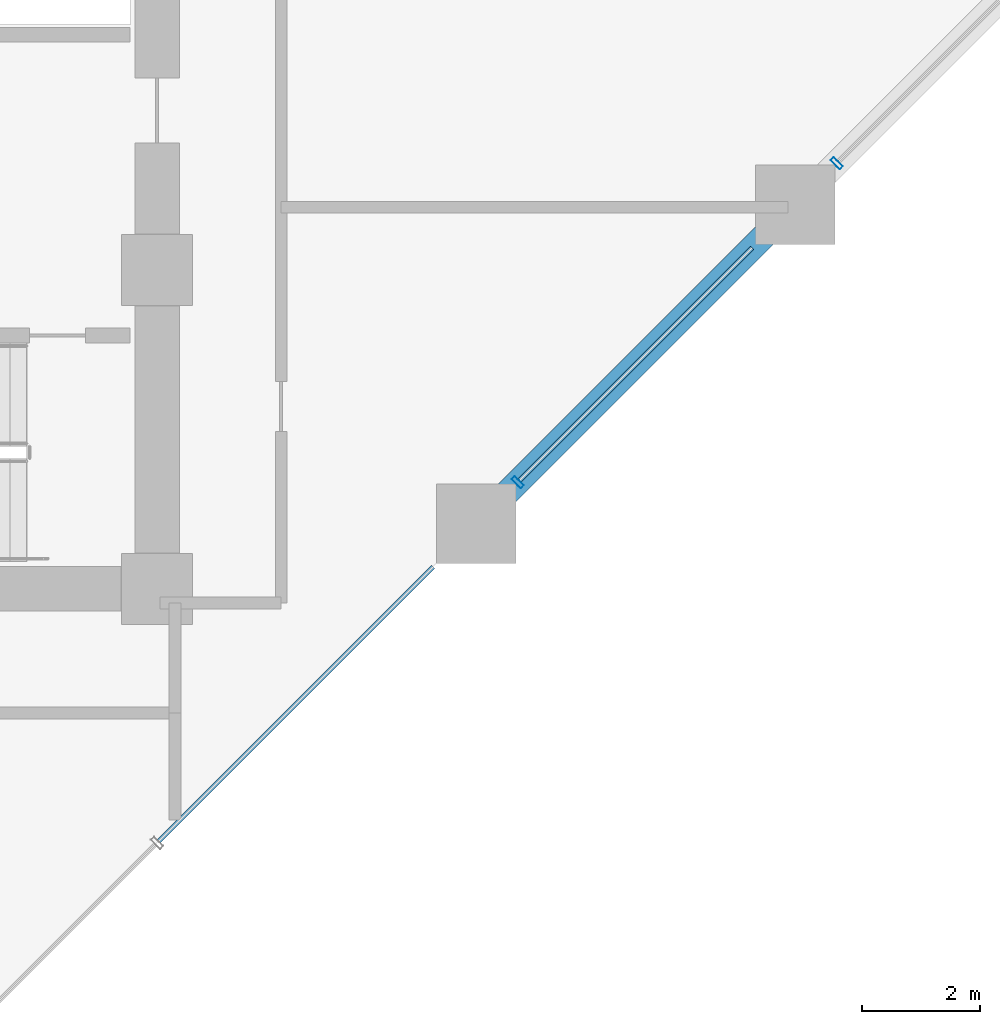
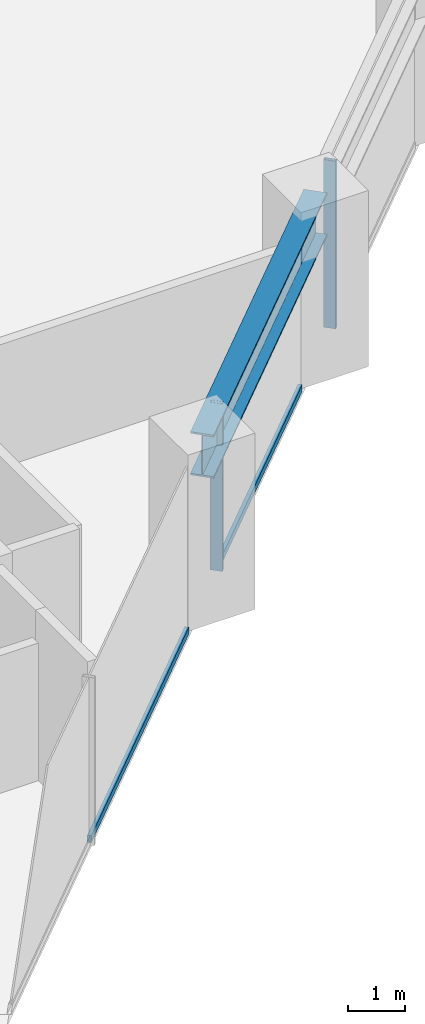
# One storey, part 8 of 24: 4 members, 1 beam, 1 element without a shape of its own.
"""IFC4 building model written with IfcOpenShell, lengths in metres."""

from ifc_helpers import new_model, si_unit, direction, frame, origin, origin_2d, place, context, subcontext, project, spatial, hollow_rectangle, i_section, extrude, material, layer, layer_set, material_profile, profile_set, type_object, element, aggregate, save


model = new_model("IFC4")

# Units and contexts
model_context = context("Model", 3, precision=1e-05, world=origin(), true_north=direction((0.0, 1.0)))
body_context = subcontext(model_context, "Body", "Model", "MODEL_VIEW")
ifc_project = project(units=[si_unit("LENGTHUNIT", "METRE"), si_unit("AREAUNIT", "SQUARE_METRE"), si_unit("VOLUMEUNIT", "CUBIC_METRE"), si_unit("PLANEANGLEUNIT", "RADIAN"), si_unit("MASSUNIT", "GRAM", prefix="KILO")], contexts=[model_context])

# Site, building, storey
site_placement = place(None, origin())
site = spatial("IfcSite", under=ifc_project, at=site_placement, CompositionType="ELEMENT")
building_placement = place(site_placement, origin())
building = spatial("IfcBuilding", under=site, at=building_placement, Name="Surkhivell Harbour Commons", CompositionType="ELEMENT")
storey_placement = place(building_placement, frame((0.0, 0.0, 26.25)))
storey = spatial("IfcBuildingStorey", under=building, at=storey_placement, Name="L06", CompositionType="ELEMENT", Elevation=26.25)

# Beam
ifc_material_1 = material(Name="Steel S460", Category="steel")
ifc_material_profile_1 = material_profile(ifc_material_1, i_section(OverallWidth=0.419921875, OverallDepth=0.9208984375, WebThickness=0.021484375, FlangeThickness=0.03662109375, at=origin_2d()), Name="UB914x419x388")
ifc_profile_set_1 = profile_set([ifc_material_profile_1], Name="Steel S460")
beam_type = type_object("IfcBeamType", Name="BM-SPN-914A", PredefinedType="SPANDREL", material=ifc_profile_set_1)
beam_placement = place(storey_placement, frame((16.199951171875, -9.699951171875, 3.109619140625), z_axis=(0.707122765516, 0.707090796496, 0.0), x_axis=(-0.707090796496, 0.707122765516, 0.0)))
element("IfcBeam", 1, at=beam_placement, inside=storey, type_object=beam_type, Name="L06 Tube Spandrel (16.2,-9.7)", PredefinedType="SPANDREL", context=body_context, shape_type="SweptSolid", body=[
    extrude(i_section(OverallWidth=0.419921875, OverallDepth=0.9208984375, WebThickness=0.021484375, FlangeThickness=0.03662109375, at=origin_2d()), origin(), (0.0, 0.0, 1.0), 7.63671875),
])

# Curtain wall, members
ifc_material_2 = material(Name="Anodised pale-metal aluminium and insulated glazing", Category="aluminium")
ifc_layer = layer(ifc_material_2, 0.219970703125)
ifc_layer_set = layer_set([ifc_layer], Name="Anodised pale-metal aluminium and insulated glazing")
curtain_wall_type = type_object("IfcCurtainWallType", Name="CW-SYS-Z1", PredefinedType="NOTDEFINED", material=ifc_layer_set)
curtain_wall_placement = place(storey_placement, origin())
curtain_wall = element("IfcCurtainWall", 2, at=curtain_wall_placement, inside=storey, type_object=curtain_wall_type, Name="L06 Curtain Wall CW-L06-E01", PredefinedType="NOTDEFINED")
ifc_material_3 = material(Name="Anodised pale-metal aluminium alloy 6063-T6", Category="aluminium")
ifc_material_profile_2 = material_profile(ifc_material_3, hollow_rectangle(XDim=0.074951171875, YDim=0.219970703125, WallThickness=0.00390625, at=origin_2d()), Name="ALU-MULL-75x220")
ifc_profile_set_2 = profile_set([ifc_material_profile_2], Name="Anodised pale-metal aluminium alloy 6063-T6")
member_type_1 = type_object("IfcMemberType", Name="CWM-220", PredefinedType="MULLION", material=ifc_profile_set_2)
member_1_placement = place(storey_placement, frame((16.9033203125, -8.99658203125, 0.0), z_axis=(0.0, 0.0, 1.0), x_axis=(0.707106781187, 0.707106781187, 0.0)))
member_1 = element("IfcMember", 3, at=member_1_placement, type_object=member_type_1, Name="CW-Z1 mullion 4", PredefinedType="MULLION", context=body_context, shape_type="SweptSolid", body=[
    extrude(hollow_rectangle(XDim=0.074951171875, YDim=0.219970703125, WallThickness=0.00390625, at=origin_2d()), origin(), (0.0, 0.0, 1.0), 3.570068359375),
])
member_2_placement = place(storey_placement, frame((22.30322265625, -3.5966796875, 0.0), z_axis=(0.0, 0.0, 1.0), x_axis=(0.707106781187, 0.707106781187, 0.0)))
member_2 = element("IfcMember", 4, at=member_2_placement, type_object=member_type_1, Name="CW-Z1 mullion 5", PredefinedType="MULLION", context=body_context, shape_type="SweptSolid", body=[
    extrude(hollow_rectangle(XDim=0.074951171875, YDim=0.219970703125, WallThickness=0.00390625, at=origin_2d()), origin(), (0.0, 0.0, 1.0), 3.570068359375),
])
ifc_material_profile_3 = material_profile(ifc_material_3, hollow_rectangle(XDim=0.074951171875, YDim=0.14990234375, WallThickness=0.00341796875, at=origin_2d()), Name="ALU-TRAN-75x150")
ifc_profile_set_3 = profile_set([ifc_material_profile_3], Name="Anodised pale-metal aluminium alloy 6063-T6")
member_type_2 = type_object("IfcMemberType", Name="CWT-150", PredefinedType="USERDEFINED", material=ifc_profile_set_3)
member_3_placement = place(storey_placement, frame((10.826416015625, -15.073486328125, 0.074951171875), z_axis=(0.70712536896, 0.707088192925, 0.0), x_axis=(-0.707088192925, 0.70712536896, 0.0)))
member_3 = element("IfcMember", 5, at=member_3_placement, type_object=member_type_2, Name="CW-Z1 transom 3.1", ObjectType="TRANSOM", PredefinedType="USERDEFINED", context=body_context, shape_type="SweptSolid", body=[
    extrude(hollow_rectangle(XDim=0.074951171875, YDim=0.14990234375, WallThickness=0.00341796875, at=origin_2d()), origin(), (0.0, 0.0, 1.0), 6.567138671875),
])
member_4_placement = place(storey_placement, frame((16.929931640625, -8.97021484375, 0.074951171875), z_axis=(0.707084874754, 0.70712868694, 0.0), x_axis=(-0.70712868694, 0.707084874754, 0.0)))
member_4 = element("IfcMember", 6, at=member_4_placement, type_object=member_type_2, Name="CW-Z1 transom 4.1", ObjectType="TRANSOM", PredefinedType="USERDEFINED", context=body_context, shape_type="SweptSolid", body=[
    extrude(hollow_rectangle(XDim=0.074951171875, YDim=0.14990234375, WallThickness=0.00341796875, at=origin_2d()), origin(), (0.0, 0.0, 1.0), 5.572509765625),
])
aggregate(curtain_wall, [member_3, member_1, member_4, member_2])

save(model, "model.ifc")
